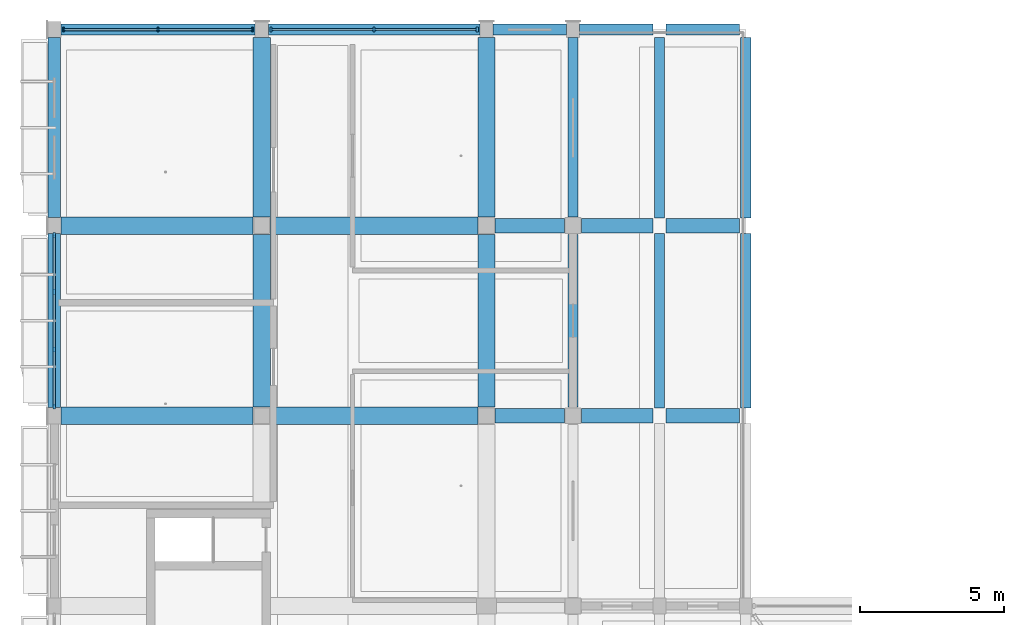
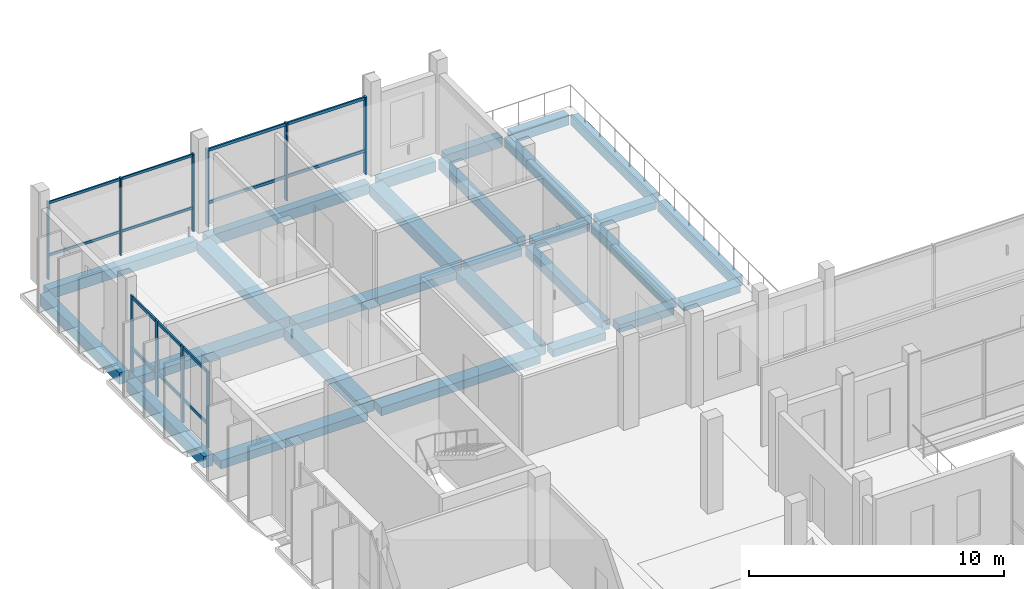
# One storey, part 26 of 95: 27 beams, 16 members, 3 elements without a shape of their own.
"""IFC4 building model written with IfcOpenShell, lengths in metres."""

from ifc_helpers import new_model, si_unit, derived_unit, direction, frame, origin, origin_2d, place, context, subcontext, project, spatial, rectangle, extrude, material, material_profile, profile_set, type_object, element, aggregate, save


model = new_model("IFC4")

# Units and contexts
model_context = context("Model", 3, precision=1e-05, world=origin(), true_north=direction((0.0, 1.0)))
body_context = subcontext(model_context, "Body", "Model", "MODEL_VIEW")
ifc_project = project(units=[si_unit("LENGTHUNIT", "METRE"), si_unit("AREAUNIT", "SQUARE_METRE"), si_unit("VOLUMEUNIT", "CUBIC_METRE"), si_unit("PLANEANGLEUNIT", "RADIAN"), si_unit("MASSUNIT", "GRAM", prefix="KILO"), derived_unit("THERMALTRANSMITTANCEUNIT", [(si_unit("POWERUNIT", "WATT"), 1), (si_unit("LENGTHUNIT", "METRE"), -2), (si_unit("THERMODYNAMICTEMPERATUREUNIT", "KELVIN"), -1)])], contexts=[model_context])

# Site, building, storey
site_placement = place(None, origin())
site = spatial("IfcSite", under=ifc_project, at=site_placement, CompositionType="ELEMENT")
building_placement = place(site_placement, origin())
building = spatial("IfcBuilding", under=site, at=building_placement, Name="Braskholm Square Health Centre", CompositionType="ELEMENT")
storey_placement = place(building_placement, frame((0.0, 0.0, 4.800048828125)))
storey = spatial("IfcBuildingStorey", under=building, at=storey_placement, Name="L02", CompositionType="ELEMENT", Elevation=4.800048828125)

# Curtain wall, members
ifc_material_1 = material(Name="Low-E triple insulating glass (VLT 0.64)", Category="glass")
curtain_wall_type = type_object("IfcCurtainWallType", Name="UnitisedCurtainWall6200x3650", PredefinedType="NOTDEFINED", material=ifc_material_1)
curtain_wall_1_placement = place(storey_placement, origin())
curtain_wall_1 = element("IfcCurtainWall", 1, at=curtain_wall_1_placement, inside=storey, type_object=curtain_wall_type, Name="Wing End unitised curtain wall CW-L02-0154", PredefinedType="NOTDEFINED")
ifc_material_2 = material(Name="Architectural bronze anodised aluminium", Category="aluminium")
ifc_material_profile_1 = material_profile(ifc_material_2, rectangle(XDim=0.06494140625, YDim=0.14990234375, at=origin_2d()), Name="ALU-65X150")
ifc_profile_set_1 = profile_set([ifc_material_profile_1], Name="Architectural bronze anodised aluminium")
member_type_1 = type_object("IfcMemberType", Name="CurtainWallMullion65x150", PredefinedType="MULLION", material=ifc_profile_set_1)
member_1_placement = place(storey_placement, frame((11.080078125, 113.800048828125, 0.0), z_axis=(0.0, 0.0, 1.0), x_axis=(1.0, 0.0, 0.0)))
member_1 = element("IfcMember", 2, at=member_1_placement, type_object=member_type_1, Name="CW-L02-0154 vertical mullion 1", PredefinedType="MULLION", context=body_context, shape_type="SweptSolid", body=[
    extrude(rectangle(XDim=0.06494140625, YDim=0.14990234375, at=origin_2d()), origin(), (0.0, 0.0, 1.0), 3.699951171875),
])
member_2_placement = place(storey_placement, frame((7.800048828125, 113.800048828125, 0.0), z_axis=(0.0, 0.0, 1.0), x_axis=(1.0, 0.0, 0.0)))
member_2 = element("IfcMember", 3, at=member_2_placement, type_object=member_type_1, Name="CW-L02-0154 vertical mullion 2", PredefinedType="MULLION", context=body_context, shape_type="SweptSolid", body=[
    extrude(rectangle(XDim=0.06494140625, YDim=0.14990234375, at=origin_2d()), origin(), (0.0, 0.0, 1.0), 3.699951171875),
])
member_3_placement = place(storey_placement, frame((4.519775390625, 113.800048828125, 0.0), z_axis=(0.0, 0.0, 1.0), x_axis=(1.0, 0.0, 0.0)))
member_3 = element("IfcMember", 4, at=member_3_placement, type_object=member_type_1, Name="CW-L02-0154 vertical mullion 3", PredefinedType="MULLION", context=body_context, shape_type="SweptSolid", body=[
    extrude(rectangle(XDim=0.06494140625, YDim=0.14990234375, at=origin_2d()), origin(), (0.0, 0.0, 1.0), 3.699951171875),
])

curtain_wall_2_placement = place(storey_placement, origin())
curtain_wall_2 = element("IfcCurtainWall", 5, at=curtain_wall_2_placement, inside=storey, type_object=curtain_wall_type, Name="West Outer unitised curtain wall CW-L02-0013", PredefinedType="NOTDEFINED")
ifc_material_profile_2 = material_profile(ifc_material_2, rectangle(XDim=0.074951171875, YDim=0.179931640625, at=origin_2d()), Name="ALU-75X180")
ifc_profile_set_2 = profile_set([ifc_material_profile_2], Name="Architectural bronze anodised aluminium")
member_type_2 = type_object("IfcMemberType", Name="CurtainWallMullion75x180", PredefinedType="MULLION", material=ifc_profile_set_2)
member_4_placement = place(storey_placement, frame((4.199951171875, 106.673828125, 0.0), z_axis=(0.0, 0.0, 1.0), x_axis=(1.0, 0.0, 0.0)))
member_4 = element("IfcMember", 6, at=member_4_placement, type_object=member_type_2, Name="CW-L02-0013 vertical mullion 1", PredefinedType="MULLION", context=body_context, shape_type="SweptSolid", body=[
    extrude(rectangle(XDim=0.074951171875, YDim=0.179931640625, at=origin_2d()), origin(), (0.0, 0.0, 1.0), 3.64990234375),
])
member_5_placement = place(storey_placement, frame((4.199951171875, 104.703369140625, 0.0), z_axis=(0.0, 0.0, 1.0), x_axis=(1.0, 0.0, 0.0)))
member_5 = element("IfcMember", 7, at=member_5_placement, type_object=member_type_2, Name="CW-L02-0013 vertical mullion 2", PredefinedType="MULLION", context=body_context, shape_type="SweptSolid", body=[
    extrude(rectangle(XDim=0.074951171875, YDim=0.179931640625, at=origin_2d()), origin(), (0.0, 0.0, 1.0), 3.64990234375),
])
member_6_placement = place(storey_placement, frame((4.199951171875, 102.69677734375, 0.0), z_axis=(0.0, 0.0, 1.0), x_axis=(1.0, 0.0, 0.0)))
member_6 = element("IfcMember", 8, at=member_6_placement, type_object=member_type_2, Name="CW-L02-0013 vertical mullion 3", PredefinedType="MULLION", context=body_context, shape_type="SweptSolid", body=[
    extrude(rectangle(XDim=0.074951171875, YDim=0.179931640625, at=origin_2d()), origin(), (0.0, 0.0, 1.0), 3.64990234375),
])
member_7_placement = place(storey_placement, frame((4.199951171875, 100.72607421875, 0.0), z_axis=(0.0, 0.0, 1.0), x_axis=(1.0, 0.0, 0.0)))
member_7 = element("IfcMember", 9, at=member_7_placement, type_object=member_type_2, Name="CW-L02-0013 vertical mullion 4", PredefinedType="MULLION", context=body_context, shape_type="SweptSolid", body=[
    extrude(rectangle(XDim=0.074951171875, YDim=0.179931640625, at=origin_2d()), origin(), (0.0, 0.0, 1.0), 3.64990234375),
])

curtain_wall_3_placement = place(storey_placement, origin())
curtain_wall_3 = element("IfcCurtainWall", 10, at=curtain_wall_3_placement, inside=storey, type_object=curtain_wall_type, Name="Wing End unitised curtain wall CW-L02-0153", PredefinedType="NOTDEFINED")
member_8_placement = place(storey_placement, frame((18.876708984375, 113.800048828125, 0.0), z_axis=(0.0, 0.0, 1.0), x_axis=(1.0, 0.0, 0.0)))
member_8 = element("IfcMember", 11, at=member_8_placement, type_object=member_type_2, Name="CW-L02-0153 vertical mullion 1", PredefinedType="MULLION", context=body_context, shape_type="SweptSolid", body=[
    extrude(rectangle(XDim=0.074951171875, YDim=0.179931640625, at=origin_2d()), origin(), (0.0, 0.0, 1.0), 3.699951171875),
])
member_9_placement = place(storey_placement, frame((15.300048828125, 113.800048828125, 0.0), z_axis=(0.0, 0.0, 1.0), x_axis=(1.0, 0.0, 0.0)))
member_9 = element("IfcMember", 12, at=member_9_placement, type_object=member_type_2, Name="CW-L02-0153 vertical mullion 2", PredefinedType="MULLION", context=body_context, shape_type="SweptSolid", body=[
    extrude(rectangle(XDim=0.074951171875, YDim=0.179931640625, at=origin_2d()), origin(), (0.0, 0.0, 1.0), 3.699951171875),
])
member_10_placement = place(storey_placement, frame((11.723388671875, 113.800048828125, 0.0), z_axis=(0.0, 0.0, 1.0), x_axis=(1.0, 0.0, 0.0)))
member_10 = element("IfcMember", 13, at=member_10_placement, type_object=member_type_2, Name="CW-L02-0153 vertical mullion 3", PredefinedType="MULLION", context=body_context, shape_type="SweptSolid", body=[
    extrude(rectangle(XDim=0.074951171875, YDim=0.179931640625, at=origin_2d()), origin(), (0.0, 0.0, 1.0), 3.699951171875),
])

# Member
ifc_material_profile_3 = material_profile(ifc_material_2, rectangle(XDim=0.06494140625, YDim=0.1201171875, at=origin_2d()), Name="ALU-65X120")
ifc_profile_set_3 = profile_set([ifc_material_profile_3], Name="Architectural bronze anodised aluminium")
member_type_3 = type_object("IfcMemberType", Name="CurtainWallTransom65x120", PredefinedType="USERDEFINED", material=ifc_profile_set_3)
member_11_placement = place(storey_placement, frame((11.074951171875, 113.800048828125, 1.119873046875), z_axis=(-1.0, 0.0, 0.0), x_axis=(0.0, -1.0, 0.0)))
member_11 = element("IfcMember", 14, at=member_11_placement, type_object=member_type_3, Name="CW-L02-0154 horizontal transom 1", ObjectType="TRANSOM", PredefinedType="USERDEFINED", context=body_context, shape_type="SweptSolid", body=[
    extrude(rectangle(XDim=0.06494140625, YDim=0.1201171875, at=origin_2d()), origin(), (0.0, 0.0, 1.0), 6.550048828125),
])

member_12_placement = place(storey_placement, frame((11.074951171875, 113.800048828125, 3.6298828125), z_axis=(-1.0, 0.0, 0.0), x_axis=(0.0, -1.0, 0.0)))
member_12 = element("IfcMember", 15, at=member_12_placement, type_object=member_type_3, Name="CW-L02-0154 horizontal transom 2", ObjectType="TRANSOM", PredefinedType="USERDEFINED", context=body_context, shape_type="SweptSolid", body=[
    extrude(rectangle(XDim=0.06494140625, YDim=0.1201171875, at=origin_2d()), origin(), (0.0, 0.0, 1.0), 6.550048828125),
])

aggregate(curtain_wall_1, [member_1, member_2, member_3, member_11, member_12])

ifc_material_profile_4 = material_profile(ifc_material_2, rectangle(XDim=0.074951171875, YDim=0.139892578125, at=origin_2d()), Name="ALU-75X140")
ifc_profile_set_4 = profile_set([ifc_material_profile_4], Name="Architectural bronze anodised aluminium")
member_type_4 = type_object("IfcMemberType", Name="CurtainWallTransom75x140", PredefinedType="USERDEFINED", material=ifc_profile_set_4)
member_13_placement = place(storey_placement, frame((4.199951171875, 106.6650390625, 1.119873046875), z_axis=(0.0, -1.0, 0.0), x_axis=(1.0, 0.0, 0.0)))
member_13 = element("IfcMember", 16, at=member_13_placement, type_object=member_type_4, Name="CW-L02-0013 horizontal transom 1", ObjectType="TRANSOM", PredefinedType="USERDEFINED", context=body_context, shape_type="SweptSolid", body=[
    extrude(rectangle(XDim=0.074951171875, YDim=0.139892578125, at=origin_2d()), origin(), (0.0, 0.0, 1.0), 5.929931640625),
])

member_14_placement = place(storey_placement, frame((4.199951171875, 106.6650390625, 3.579833984375), z_axis=(0.0, -1.0, 0.0), x_axis=(1.0, 0.0, 0.0)))
member_14 = element("IfcMember", 17, at=member_14_placement, type_object=member_type_4, Name="CW-L02-0013 horizontal transom 2", ObjectType="TRANSOM", PredefinedType="USERDEFINED", context=body_context, shape_type="SweptSolid", body=[
    extrude(rectangle(XDim=0.074951171875, YDim=0.139892578125, at=origin_2d()), origin(), (0.0, 0.0, 1.0), 5.929931640625),
])

aggregate(curtain_wall_2, [member_4, member_5, member_6, member_7, member_13, member_14])

member_15_placement = place(storey_placement, frame((18.875, 113.800048828125, 1.119873046875), z_axis=(-1.0, 0.0, 0.0), x_axis=(0.0, -1.0, 0.0)))
member_15 = element("IfcMember", 18, at=member_15_placement, type_object=member_type_4, Name="CW-L02-0153 horizontal transom 1", ObjectType="TRANSOM", PredefinedType="USERDEFINED", context=body_context, shape_type="SweptSolid", body=[
    extrude(rectangle(XDim=0.074951171875, YDim=0.139892578125, at=origin_2d()), origin(), (0.0, 0.0, 1.0), 7.14990234375),
])

member_16_placement = place(storey_placement, frame((18.875, 113.800048828125, 3.6298828125), z_axis=(-1.0, 0.0, 0.0), x_axis=(0.0, -1.0, 0.0)))
member_16 = element("IfcMember", 19, at=member_16_placement, type_object=member_type_4, Name="CW-L02-0153 horizontal transom 2", ObjectType="TRANSOM", PredefinedType="USERDEFINED", context=body_context, shape_type="SweptSolid", body=[
    extrude(rectangle(XDim=0.074951171875, YDim=0.139892578125, at=origin_2d()), origin(), (0.0, 0.0, 1.0), 7.14990234375),
])

aggregate(curtain_wall_3, [member_8, member_9, member_10, member_15, member_16])

# Beams
ifc_material_3 = material(Name="Concrete C35/45 (f'c = 35 MPa)", Category="concrete")
ifc_material_profile_5 = material_profile(ifc_material_3, rectangle(XDim=0.5, YDim=0.360107421875, at=origin_2d()), Name="RCB-500X360")
ifc_profile_set_5 = profile_set([ifc_material_profile_5], Name="Concrete C35/45 (f'c = 35 MPa)")
beam_type_1 = type_object("IfcBeamType", Name="PrimaryBandBeam500x360", PredefinedType="BEAM", material=ifc_profile_set_5)
beam_1_placement = place(storey_placement, frame((19.5, 100.39990234375, -0.56005859375), z_axis=(1.0, 0.0, 0.0), x_axis=(0.0, 1.0, 0.0)))
element("IfcBeam", 20, at=beam_1_placement, inside=storey, type_object=beam_type_1, Name="Beam 3-4/Q L02", PredefinedType="BEAM", context=body_context, shape_type="SweptSolid", body=[
    extrude(rectangle(XDim=0.5, YDim=0.360107421875, at=origin_2d()), origin(), (0.0, 0.0, 1.0), 2.39990234375),
])
beam_2_placement = place(storey_placement, frame((22.5, 100.39990234375, -0.429931640625), z_axis=(1.0, 0.0, 0.0), x_axis=(0.0, 1.0, 0.0)))
element("IfcBeam", 21, at=beam_2_placement, inside=storey, type_object=beam_type_1, Name="Beam 4-5/Q L02", PredefinedType="BEAM", context=body_context, shape_type="SweptSolid", body=[
    extrude(rectangle(XDim=0.5, YDim=0.360107421875, at=origin_2d()), origin(), (0.0, 0.0, 1.0), 2.47998046875),
])
beam_3_placement = place(storey_placement, frame((25.419921875, 100.39990234375, -0.429931640625), z_axis=(1.0, 0.0, 0.0), x_axis=(0.0, 1.0, 0.0)))
element("IfcBeam", 22, at=beam_3_placement, inside=storey, type_object=beam_type_1, Name="Beam 5-6/Q L02", PredefinedType="BEAM", context=body_context, shape_type="SweptSolid", body=[
    extrude(rectangle(XDim=0.5, YDim=0.360107421875, at=origin_2d()), origin(), (0.0, 0.0, 1.0), 2.56005859375),
])
beam_4_placement = place(storey_placement, frame((19.5, 107.0, -0.56005859375), z_axis=(1.0, 0.0, 0.0), x_axis=(0.0, 1.0, 0.0)))
element("IfcBeam", 23, at=beam_4_placement, inside=storey, type_object=beam_type_1, Name="Beam 3-4/R L02", PredefinedType="BEAM", context=body_context, shape_type="SweptSolid", body=[
    extrude(rectangle(XDim=0.5, YDim=0.360107421875, at=origin_2d()), origin(), (0.0, 0.0, 1.0), 2.39990234375),
])
beam_5_placement = place(storey_placement, frame((22.5, 107.0, -0.429931640625), z_axis=(1.0, 0.0, 0.0), x_axis=(0.0, 1.0, 0.0)))
element("IfcBeam", 24, at=beam_5_placement, inside=storey, type_object=beam_type_1, Name="Beam 4-5/R L02", PredefinedType="BEAM", context=body_context, shape_type="SweptSolid", body=[
    extrude(rectangle(XDim=0.5, YDim=0.360107421875, at=origin_2d()), origin(), (0.0, 0.0, 1.0), 2.47998046875),
])
beam_6_placement = place(storey_placement, frame((25.419921875, 107.0, -0.429931640625), z_axis=(1.0, 0.0, 0.0), x_axis=(0.0, 1.0, 0.0)))
element("IfcBeam", 25, at=beam_6_placement, inside=storey, type_object=beam_type_1, Name="Beam 5-6/R L02", PredefinedType="BEAM", context=body_context, shape_type="SweptSolid", body=[
    extrude(rectangle(XDim=0.5, YDim=0.360107421875, at=origin_2d()), origin(), (0.0, 0.0, 1.0), 2.56005859375),
])
ifc_material_profile_6 = material_profile(ifc_material_3, rectangle(XDim=0.60009765625, YDim=0.39990234375, at=origin_2d()), Name="RCB-600X400")
ifc_profile_set_6 = profile_set([ifc_material_profile_6], Name="Concrete C35/45 (f'c = 35 MPa)")
beam_type_2 = type_object("IfcBeamType", Name="PrimaryBandBeam600x400", PredefinedType="BEAM", material=ifc_profile_set_6)
beam_7_placement = place(storey_placement, frame((4.429931640625, 100.39990234375, -0.580078125), z_axis=(1.0, 0.0, 0.0), x_axis=(0.0, 1.0, 0.0)))
element("IfcBeam", 26, at=beam_7_placement, inside=storey, type_object=beam_type_2, Name="Beam 1-2/Q L02", PredefinedType="BEAM", context=body_context, shape_type="SweptSolid", body=[
    extrude(rectangle(XDim=0.60009765625, YDim=0.39990234375, at=origin_2d()), origin(), (0.0, 0.0, 1.0), 6.670166015625),
])
beam_8_placement = place(storey_placement, frame((11.699951171875, 100.39990234375, -0.580078125), z_axis=(1.0, 0.0, 0.0), x_axis=(0.0, 1.0, 0.0)))
element("IfcBeam", 27, at=beam_8_placement, inside=storey, type_object=beam_type_2, Name="Beam 2-3/Q L02", PredefinedType="BEAM", context=body_context, shape_type="SweptSolid", body=[
    extrude(rectangle(XDim=0.60009765625, YDim=0.39990234375, at=origin_2d()), origin(), (0.0, 0.0, 1.0), 7.199951171875),
])
beam_9_placement = place(storey_placement, frame((4.429931640625, 107.0, -0.580078125), z_axis=(1.0, 0.0, 0.0), x_axis=(0.0, 1.0, 0.0)))
element("IfcBeam", 28, at=beam_9_placement, inside=storey, type_object=beam_type_2, Name="Beam 1-2/R L02", PredefinedType="BEAM", context=body_context, shape_type="SweptSolid", body=[
    extrude(rectangle(XDim=0.60009765625, YDim=0.39990234375, at=origin_2d()), origin(), (0.0, 0.0, 1.0), 6.670166015625),
])
beam_10_placement = place(storey_placement, frame((11.699951171875, 107.0, -0.580078125), z_axis=(1.0, 0.0, 0.0), x_axis=(0.0, 1.0, 0.0)))
element("IfcBeam", 29, at=beam_10_placement, inside=storey, type_object=beam_type_2, Name="Beam 2-3/R L02", PredefinedType="BEAM", context=body_context, shape_type="SweptSolid", body=[
    extrude(rectangle(XDim=0.60009765625, YDim=0.39990234375, at=origin_2d()), origin(), (0.0, 0.0, 1.0), 7.199951171875),
])
ifc_material_4 = material(Name="Concrete C40/50 (f'c = 40 MPa)", Category="concrete")
ifc_material_profile_7 = material_profile(ifc_material_4, rectangle(XDim=0.60009765625, YDim=0.52001953125, at=origin_2d()), Name="RCB-600X520")
ifc_profile_set_7 = profile_set([ifc_material_profile_7], Name="Concrete C40/50 (f'c = 40 MPa)")
beam_type_3 = type_object("IfcBeamType", Name="PrimaryGirderSurgery600x520", PredefinedType="BEAM", material=ifc_profile_set_7)
beam_11_placement = place(storey_placement, frame((11.39990234375, 100.699951171875, -0.64013671875), z_axis=(0.0, 1.0, 0.0), x_axis=(-1.0, 0.0, 0.0)))
element("IfcBeam", 30, at=beam_11_placement, inside=storey, type_object=beam_type_3, Name="Beam 2/Q-R L02", PredefinedType="BEAM", context=body_context, shape_type="SweptSolid", body=[
    extrude(rectangle(XDim=0.60009765625, YDim=0.52001953125, at=origin_2d()), origin(), (0.0, 0.0, 1.0), 6.0),
])
beam_12_placement = place(storey_placement, frame((11.39990234375, 107.300048828125, -0.64013671875), z_axis=(0.0, 1.0, 0.0), x_axis=(-1.0, 0.0, 0.0)))
element("IfcBeam", 31, at=beam_12_placement, inside=storey, type_object=beam_type_3, Name="Beam 2/R-S L02", PredefinedType="BEAM", context=body_context, shape_type="SweptSolid", body=[
    extrude(rectangle(XDim=0.60009765625, YDim=0.52001953125, at=origin_2d()), origin(), (0.0, 0.0, 1.0), 6.219970703125),
])
beam_13_placement = place(storey_placement, frame((19.199951171875, 100.699951171875, -0.64013671875), z_axis=(0.0, 1.0, 0.0), x_axis=(-1.0, 0.0, 0.0)))
element("IfcBeam", 32, at=beam_13_placement, inside=storey, type_object=beam_type_3, Name="Beam 3/Q-R L02", PredefinedType="BEAM", context=body_context, shape_type="SweptSolid", body=[
    extrude(rectangle(XDim=0.60009765625, YDim=0.52001953125, at=origin_2d()), origin(), (0.0, 0.0, 1.0), 6.0),
])
beam_14_placement = place(storey_placement, frame((19.199951171875, 107.300048828125, -0.64013671875), z_axis=(0.0, 1.0, 0.0), x_axis=(-1.0, 0.0, 0.0)))
element("IfcBeam", 33, at=beam_14_placement, inside=storey, type_object=beam_type_3, Name="Beam 3/R-S L02", PredefinedType="BEAM", context=body_context, shape_type="SweptSolid", body=[
    extrude(rectangle(XDim=0.60009765625, YDim=0.52001953125, at=origin_2d()), origin(), (0.0, 0.0, 1.0), 6.219970703125),
])
ifc_material_5 = material(Name="Precast concrete C40/50 architectural white", Category="concrete")
ifc_material_profile_8 = material_profile(ifc_material_5, rectangle(XDim=0.3798828125, YDim=0.5, at=origin_2d()), Name="RCB-380X500")
ifc_profile_set_8 = profile_set([ifc_material_profile_8], Name="Precast concrete C40/50 architectural white")
beam_type_4 = type_object("IfcBeamType", Name="SpandrelPrecastEdge380x500", PredefinedType="SPANDREL", material=ifc_profile_set_8)
beam_15_placement = place(storey_placement, frame((4.429931640625, 113.800048828125, -0.630126953125), z_axis=(1.0, 0.0, 0.0), x_axis=(0.0, 1.0, 0.0)))
element("IfcBeam", 34, at=beam_15_placement, inside=storey, type_object=beam_type_4, Name="Beam 1-2/S L02", PredefinedType="SPANDREL", context=body_context, shape_type="SweptSolid", body=[
    extrude(rectangle(XDim=0.3798828125, YDim=0.5, at=origin_2d()), origin(), (0.0, 0.0, 1.0), 6.739990234375),
])
beam_16_placement = place(storey_placement, frame((11.6298828125, 113.800048828125, -0.630126953125), z_axis=(1.0, 0.0, 0.0), x_axis=(0.0, 1.0, 0.0)))
element("IfcBeam", 35, at=beam_16_placement, inside=storey, type_object=beam_type_4, Name="Beam 2-3/S L02", PredefinedType="SPANDREL", context=body_context, shape_type="SweptSolid", body=[
    extrude(rectangle(XDim=0.3798828125, YDim=0.5, at=origin_2d()), origin(), (0.0, 0.0, 1.0), 7.340087890625),
])
beam_17_placement = place(storey_placement, frame((19.429931640625, 113.800048828125, -0.630126953125), z_axis=(1.0, 0.0, 0.0), x_axis=(0.0, 1.0, 0.0)))
element("IfcBeam", 36, at=beam_17_placement, inside=storey, type_object=beam_type_4, Name="Beam 3-4/S L02", PredefinedType="SPANDREL", context=body_context, shape_type="SweptSolid", body=[
    extrude(rectangle(XDim=0.3798828125, YDim=0.5, at=origin_2d()), origin(), (0.0, 0.0, 1.0), 2.5400390625),
])
beam_18_placement = place(storey_placement, frame((22.429931640625, 113.800048828125, -0.5), z_axis=(1.0, 0.0, 0.0), x_axis=(0.0, 1.0, 0.0)))
element("IfcBeam", 37, at=beam_18_placement, inside=storey, type_object=beam_type_4, Name="Beam 4-5/S L02", PredefinedType="SPANDREL", context=body_context, shape_type="SweptSolid", body=[
    extrude(rectangle(XDim=0.3798828125, YDim=0.5, at=origin_2d()), origin(), (0.0, 0.0, 1.0), 2.550048828125),
])
beam_19_placement = place(storey_placement, frame((25.419921875, 113.800048828125, -0.5), z_axis=(1.0, 0.0, 0.0), x_axis=(0.0, 1.0, 0.0)))
element("IfcBeam", 38, at=beam_19_placement, inside=storey, type_object=beam_type_4, Name="Beam 5-6/S L02", PredefinedType="SPANDREL", context=body_context, shape_type="SweptSolid", body=[
    extrude(rectangle(XDim=0.3798828125, YDim=0.5, at=origin_2d()), origin(), (0.0, 0.0, 1.0), 2.56005859375),
])
ifc_material_profile_9 = material_profile(ifc_material_5, rectangle(XDim=0.419921875, YDim=0.550048828125, at=origin_2d()), Name="RCB-420X550")
ifc_profile_set_9 = profile_set([ifc_material_profile_9], Name="Precast concrete C40/50 architectural white")
beam_type_5 = type_object("IfcBeamType", Name="SpandrelPrecastLedge420x550", PredefinedType="SPANDREL", material=ifc_profile_set_9)
beam_20_placement = place(storey_placement, frame((4.199951171875, 100.679931640625, -0.655029296875), z_axis=(0.0, 1.0, 0.0), x_axis=(-1.0, 0.0, 0.0)))
element("IfcBeam", 39, at=beam_20_placement, inside=storey, type_object=beam_type_5, Name="Beam 1/Q-R L02", PredefinedType="SPANDREL", context=body_context, shape_type="SweptSolid", body=[
    extrude(rectangle(XDim=0.419921875, YDim=0.550048828125, at=origin_2d()), origin(), (0.0, 0.0, 1.0), 6.0400390625),
])
beam_21_placement = place(storey_placement, frame((4.199951171875, 107.280029296875, -0.655029296875), z_axis=(0.0, 1.0, 0.0), x_axis=(-1.0, 0.0, 0.0)))
element("IfcBeam", 40, at=beam_21_placement, inside=storey, type_object=beam_type_5, Name="Beam 1/R-S L02", PredefinedType="SPANDREL", context=body_context, shape_type="SweptSolid", body=[
    extrude(rectangle(XDim=0.419921875, YDim=0.550048828125, at=origin_2d()), origin(), (0.0, 0.0, 1.0), 6.239990234375),
])
ifc_material_profile_10 = material_profile(ifc_material_5, rectangle(XDim=0.360107421875, YDim=0.4599609375, at=origin_2d()), Name="RCB-360X460")
ifc_profile_set_10 = profile_set([ifc_material_profile_10], Name="Precast concrete C40/50 architectural white")
beam_type_6 = type_object("IfcBeamType", Name="SpandrelTerraceEdge360x460", PredefinedType="SPANDREL", material=ifc_profile_set_10)
beam_22_placement = place(storey_placement, frame((22.199951171875, 100.699951171875, -0.47998046875), z_axis=(0.0, 1.0, 0.0), x_axis=(-1.0, 0.0, 0.0)))
element("IfcBeam", 41, at=beam_22_placement, inside=storey, type_object=beam_type_6, Name="Beam 4/Q-R L02", PredefinedType="SPANDREL", context=body_context, shape_type="SweptSolid", body=[
    extrude(rectangle(XDim=0.360107421875, YDim=0.4599609375, at=origin_2d()), origin(), (0.0, 0.0, 1.0), 6.0),
])
beam_23_placement = place(storey_placement, frame((22.199951171875, 107.300048828125, -0.47998046875), z_axis=(0.0, 1.0, 0.0), x_axis=(-1.0, 0.0, 0.0)))
element("IfcBeam", 42, at=beam_23_placement, inside=storey, type_object=beam_type_6, Name="Beam 4/R-S L02", PredefinedType="SPANDREL", context=body_context, shape_type="SweptSolid", body=[
    extrude(rectangle(XDim=0.360107421875, YDim=0.4599609375, at=origin_2d()), origin(), (0.0, 0.0, 1.0), 6.219970703125),
])
beam_24_placement = place(storey_placement, frame((25.199951171875, 100.669921875, -0.47998046875), z_axis=(0.0, 1.0, 0.0), x_axis=(-1.0, 0.0, 0.0)))
element("IfcBeam", 43, at=beam_24_placement, inside=storey, type_object=beam_type_6, Name="Beam 5/Q-R L02", PredefinedType="SPANDREL", context=body_context, shape_type="SweptSolid", body=[
    extrude(rectangle(XDim=0.360107421875, YDim=0.4599609375, at=origin_2d()), origin(), (0.0, 0.0, 1.0), 6.06005859375),
])
beam_25_placement = place(storey_placement, frame((25.199951171875, 107.27001953125, -0.47998046875), z_axis=(0.0, 1.0, 0.0), x_axis=(-1.0, 0.0, 0.0)))
element("IfcBeam", 44, at=beam_25_placement, inside=storey, type_object=beam_type_6, Name="Beam 5/R-S L02", PredefinedType="SPANDREL", context=body_context, shape_type="SweptSolid", body=[
    extrude(rectangle(XDim=0.360107421875, YDim=0.4599609375, at=origin_2d()), origin(), (0.0, 0.0, 1.0), 6.260009765625),
])
beam_26_placement = place(storey_placement, frame((28.199951171875, 100.669921875, -0.47998046875), z_axis=(0.0, 1.0, 0.0), x_axis=(-1.0, 0.0, 0.0)))
element("IfcBeam", 45, at=beam_26_placement, inside=storey, type_object=beam_type_6, Name="Beam 6/Q-R L02", PredefinedType="SPANDREL", context=body_context, shape_type="SweptSolid", body=[
    extrude(rectangle(XDim=0.360107421875, YDim=0.4599609375, at=origin_2d()), origin(), (0.0, 0.0, 1.0), 6.06005859375),
])
beam_27_placement = place(storey_placement, frame((28.199951171875, 107.27001953125, -0.47998046875), z_axis=(0.0, 1.0, 0.0), x_axis=(-1.0, 0.0, 0.0)))
element("IfcBeam", 46, at=beam_27_placement, inside=storey, type_object=beam_type_6, Name="Beam 6/R-S L02", PredefinedType="SPANDREL", context=body_context, shape_type="SweptSolid", body=[
    extrude(rectangle(XDim=0.360107421875, YDim=0.4599609375, at=origin_2d()), origin(), (0.0, 0.0, 1.0), 6.260009765625),
])

save(model, "model.ifc")
